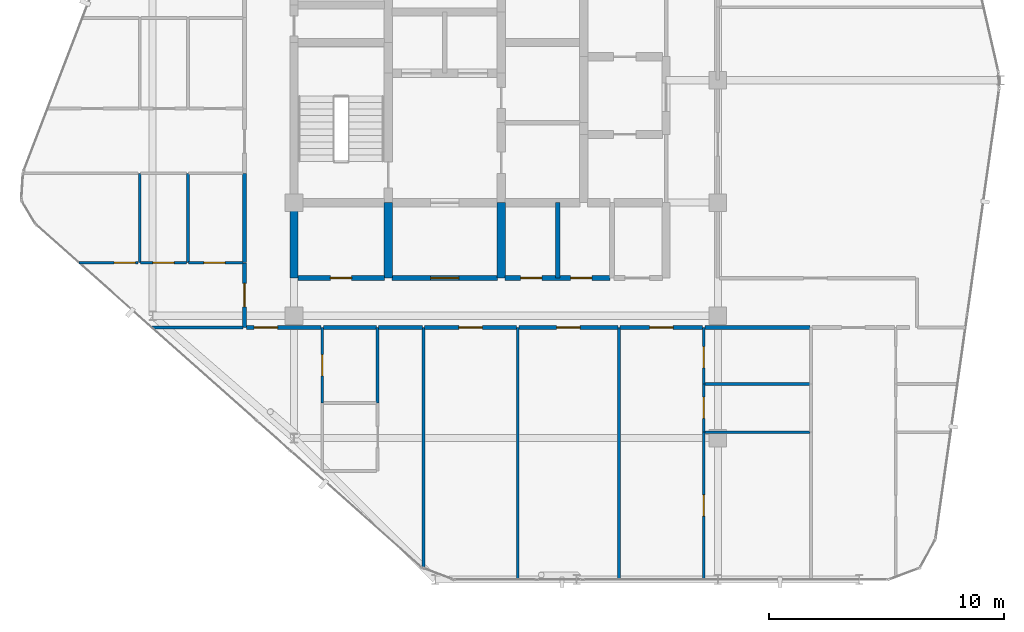
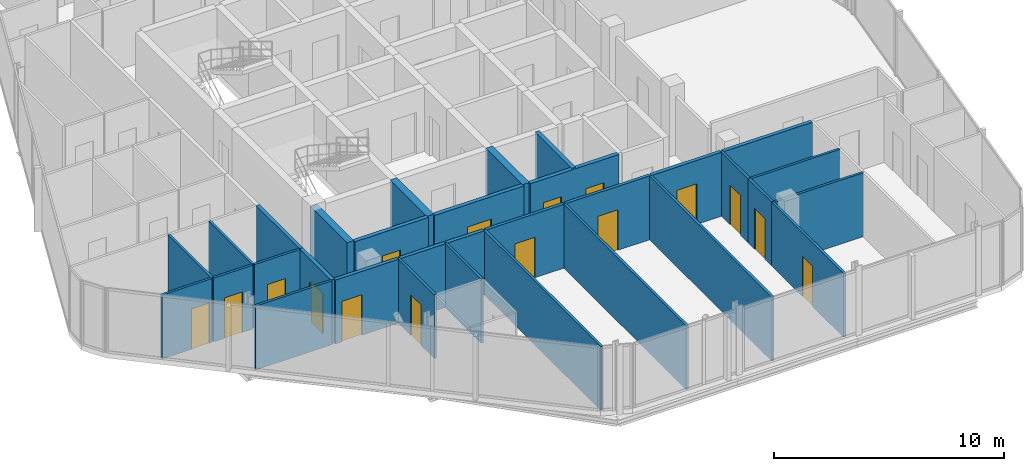
# One storey, part 22 of 27: 32 walls, 16 doors, 16 openings.
"""IFC4 building model written with IfcOpenShell, lengths in metres."""

from ifc_helpers import new_model, si_unit, direction, frame, frame_2d, origin, place, context, subcontext, project, spatial, rectangle, extrude, material, layer, layer_set, type_object, element, fill, save


model = new_model("IFC4")

# Units and contexts
model_context = context("Model", 3, precision=1e-05, world=origin(), true_north=direction((0.0, 1.0)))
body_context = subcontext(model_context, "Body", "Model", "MODEL_VIEW")
ifc_project = project(units=[si_unit("LENGTHUNIT", "METRE"), si_unit("AREAUNIT", "SQUARE_METRE"), si_unit("VOLUMEUNIT", "CUBIC_METRE"), si_unit("PLANEANGLEUNIT", "RADIAN"), si_unit("MASSUNIT", "GRAM", prefix="KILO")], contexts=[model_context])

# Site, building, storey
site_placement = place(None, origin())
site = spatial("IfcSite", under=ifc_project, at=site_placement, CompositionType="ELEMENT")
building_placement = place(site_placement, origin())
building = spatial("IfcBuilding", under=site, at=building_placement, Name="Keshet Zoharim Tower", CompositionType="ELEMENT")
storey_placement = place(building_placement, frame((0.0, 0.0, 273.199951171875)))
storey = spatial("IfcBuildingStorey", under=building, at=storey_placement, Name="L68", CompositionType="ELEMENT", Elevation=273.199951171875)

# Wall, opening, door
ifc_material_1 = material(Name="Gypsum Plasterboard", Category="gypsum")
ifc_layer_1 = layer(ifc_material_1, 0.14990234375)
ifc_layer_set_1 = layer_set([ifc_layer_1], Name="Gypsum Plasterboard")
wall_type_1 = type_object("IfcWallType", Name="WL-CLIN-150", PredefinedType="STANDARD", material=ifc_layer_set_1)
wall_1_placement = place(storey_placement, frame((20.544921875, 17.39990234375, 0.0), z_axis=(0.0, 0.0, 1.0), x_axis=(1.0, 0.0, 0.0)))
wall_1 = element("IfcWall", 1, at=wall_1_placement, inside=storey, type_object=wall_type_1, Name="L68 Interior Wall 096", PredefinedType="STANDARD", context=body_context, shape_type="SweptSolid", body=[
    extrude(rectangle(XDim=3.91015625, YDim=0.14990234375, at=frame_2d((1.955078125, 0.0))), origin(), (0.0, 0.0, 1.0), 3.39013671875),
])
opening_1_placement = place(wall_1_placement, frame((1.455078125, 0.0, 0.0)))
opening_1 = element("IfcOpeningElement", 2, at=opening_1_placement, cuts=wall_1, Name="Opening D-F310", PredefinedType="OPENING", context=body_context, shape_type="SweptSolid", body=[
    extrude(rectangle(XDim=1.0, YDim=2.14990234375, at=frame_2d((0.5, 1.074951171875))), frame((0.0, 0.0849609375, 0.0), z_axis=(0.0, -1.0, 0.0), x_axis=(1.0, 0.0, 0.0)), (0.0, 0.0, 1.0), 0.169921875),
])
ifc_material_2 = material(Name="Hardwood Timber", Category="wood")
door_type_1 = type_object("IfcDoorType", Name="DR-FD30-100", OperationType="NOTDEFINED", PredefinedType="DOOR", material=ifc_material_2)
door_1_placement = place(opening_1_placement, origin())
door_1 = element("IfcDoor", 3, at=door_1_placement, inside=storey, type_object=door_type_1, Name="L68 Residents Telework Office Door", OperationType="SINGLE_SWING_RIGHT", OverallHeight=2.14990234375, OverallWidth=1.0, PredefinedType="DOOR", context=body_context, shape_type="SweptSolid", body=[
    extrude(rectangle(XDim=1.0, YDim=2.14990234375, at=frame_2d((0.5, 1.074951171875))), frame((0.0, 0.02490234375, 0.0), z_axis=(0.0, -1.0, 0.0), x_axis=(1.0, 0.0, 0.0)), (0.0, 0.0, 1.0), 0.050048828125),
])
fill(opening_1, door_1)

wall_2_placement = place(storey_placement, frame((24.544921875, 17.39990234375, 0.0), z_axis=(0.0, 0.0, 1.0), x_axis=(1.0, 0.0, 0.0)))
wall_2 = element("IfcWall", 4, at=wall_2_placement, inside=storey, type_object=wall_type_1, Name="L68 Interior Wall 097", PredefinedType="STANDARD", context=body_context, shape_type="SweptSolid", body=[
    extrude(rectangle(XDim=4.2099609375, YDim=0.14990234375, at=frame_2d((2.10498046875, 0.0))), origin(), (0.0, 0.0, 1.0), 3.39013671875),
])
opening_2_placement = place(wall_2_placement, frame((1.60498046875, 0.0, 0.0)))
opening_2 = element("IfcOpeningElement", 5, at=opening_2_placement, cuts=wall_2, Name="Opening D-F310", PredefinedType="OPENING", context=body_context, shape_type="SweptSolid", body=[
    extrude(rectangle(XDim=1.0, YDim=2.14990234375, at=frame_2d((0.5, 1.074951171875))), frame((0.0, 0.0849609375, 0.0), z_axis=(0.0, -1.0, 0.0), x_axis=(1.0, 0.0, 0.0)), (0.0, 0.0, 1.0), 0.169921875),
])
door_2_placement = place(opening_2_placement, origin())
door_2 = element("IfcDoor", 6, at=door_2_placement, inside=storey, type_object=door_type_1, Name="L68 Residents Meeting Room Door", OperationType="SINGLE_SWING_LEFT", OverallHeight=2.14990234375, OverallWidth=1.0, PredefinedType="DOOR", context=body_context, shape_type="SweptSolid", body=[
    extrude(rectangle(XDim=1.0, YDim=2.14990234375, at=frame_2d((0.5, 1.074951171875))), frame((0.0, 0.02490234375, 0.0), z_axis=(0.0, -1.0, 0.0), x_axis=(1.0, 0.0, 0.0)), (0.0, 0.0, 1.0), 0.050048828125),
])
fill(opening_2, door_2)

# Walls
ifc_material_3 = material(Name="Concrete C60/75", Category="concrete")
ifc_layer_2 = layer(ifc_material_3, 0.35009765625)
ifc_layer_set_2 = layer_set([ifc_layer_2], Name="Concrete C60/75")
wall_type_2 = type_object("IfcWallType", Name="WL-CORE-350", PredefinedType="SHEAR", material=ifc_layer_set_2)
for number, where, z_axis, x_axis, name in (
    (7, (15.0, 19.5, 0.0), (0.0, 0.0, 1.0), (0.0, 1.0, 0.0), "L68 Core Shear Wall 016"),
    (8, (19.0, 19.5, 0.0), (0.0, 0.0, 1.0), (0.0, 1.0, 0.0), "L68 Core Shear Wall 026"),
    (9, (23.800048828125, 19.5, 0.0), (0.0, 0.0, 1.0), (0.0, 1.0, 0.0), "L68 Core Shear Wall 039"),
):
    element("IfcWall", number, at=place(storey_placement, frame(where, z_axis=z_axis, x_axis=x_axis)), inside=storey, type_object=wall_type_2, Name=name, PredefinedType="SHEAR", context=body_context, shape_type="SweptSolid", body=[
        extrude(rectangle(XDim=3.199951171875, YDim=0.35009765625, at=frame_2d((1.60009765625, 0.0))), origin(), (0.0, 0.0, 1.0), 3.39013671875),
    ])

# Wall, opening, door
ifc_layer_3 = layer(ifc_material_1, 0.179931640625)
ifc_layer_set_3 = layer_set([ifc_layer_3], Name="Gypsum Plasterboard")
wall_type_3 = type_object("IfcWallType", Name="WL-CORR-180", PredefinedType="STANDARD", material=ifc_layer_set_3)
wall_3_placement = place(storey_placement, frame((12.89990234375, 17.39990234375, 0.0), z_axis=(0.0, 0.0, 1.0), x_axis=(0.0, 1.0, 0.0)))
wall_3 = element("IfcWall", 10, at=wall_3_placement, inside=storey, type_object=wall_type_3, Name="L68 Interior Wall 007", PredefinedType="STANDARD", context=body_context, shape_type="SweptSolid", body=[
    extrude(rectangle(XDim=2.75, YDim=0.179931640625, at=frame_2d((1.375, 0.0))), origin(), (0.0, 0.0, 1.0), 3.39013671875),
])
opening_3_placement = place(wall_3_placement, frame((0.875, 0.0, 0.0)))
opening_3 = element("IfcOpeningElement", 11, at=opening_3_placement, cuts=wall_3, Name="Opening D-F310", PredefinedType="OPENING", context=body_context, shape_type="SweptSolid", body=[
    extrude(rectangle(XDim=1.0, YDim=2.14990234375, at=frame_2d((0.5, 1.074951171875))), frame((0.0, 0.10009765625, 0.0), z_axis=(0.0, -1.0, 0.0), x_axis=(1.0, 0.0, 0.0)), (0.0, 0.0, 1.0), 0.199951171875),
])
door_3_placement = place(opening_3_placement, origin())
door_3 = element("IfcDoor", 12, at=door_3_placement, inside=storey, type_object=door_type_1, Name="Apartment 6806 Entrance Door", OperationType="SINGLE_SWING_RIGHT", OverallHeight=2.14990234375, OverallWidth=1.0, PredefinedType="DOOR", context=body_context, shape_type="SweptSolid", body=[
    extrude(rectangle(XDim=1.0, YDim=2.14990234375, at=frame_2d((0.5, 1.074951171875))), frame((0.0, 0.02490234375, 0.0), z_axis=(0.0, -1.0, 0.0), x_axis=(1.0, 0.0, 0.0)), (0.0, 0.0, 1.0), 0.050048828125),
])
fill(opening_3, door_3)

# Wall
wall_4_placement = place(storey_placement, frame((12.89990234375, 20.14990234375, 0.0), z_axis=(0.0, 0.0, 1.0), x_axis=(0.0, 1.0, 0.0)))
element("IfcWall", 13, at=wall_4_placement, inside=storey, type_object=wall_type_3, Name="L68 Interior Wall 008", PredefinedType="STANDARD", context=body_context, shape_type="SweptSolid", body=[
    extrude(rectangle(XDim=3.780029296875, YDim=0.179931640625, at=frame_2d((1.89013671875, 0.0))), origin(), (0.0, 0.0, 1.0), 3.39013671875),
])

# Wall, opening, door
wall_5_placement = place(storey_placement, frame((12.97509765625, 17.39990234375, 0.0), z_axis=(0.0, 0.0, 1.0), x_axis=(1.0, 0.0, 0.0)))
wall_5 = element("IfcWall", 14, at=wall_5_placement, inside=storey, type_object=wall_type_3, Name="L68 Interior Wall 093", PredefinedType="STANDARD", context=body_context, shape_type="SweptSolid", body=[
    extrude(rectangle(XDim=3.179931640625, YDim=0.179931640625, at=frame_2d((1.58984375, 0.0))), origin(), (0.0, 0.0, 1.0), 3.39013671875),
])
opening_4_placement = place(wall_5_placement, frame((0.33203125, 0.0, 0.0)))
opening_4 = element("IfcOpeningElement", 15, at=opening_4_placement, cuts=wall_5, Name="Opening D-F310", PredefinedType="OPENING", context=body_context, shape_type="SweptSolid", body=[
    extrude(rectangle(XDim=1.0, YDim=2.14990234375, at=frame_2d((0.5, 1.074951171875))), frame((0.0, 0.10009765625, 0.0), z_axis=(0.0, -1.0, 0.0), x_axis=(1.0, 0.0, 0.0)), (0.0, 0.0, 1.0), 0.199951171875),
])
door_4_placement = place(opening_4_placement, origin())
door_4 = element("IfcDoor", 16, at=door_4_placement, inside=storey, type_object=door_type_1, Name="Apartment 6801 Entrance Door", OperationType="SINGLE_SWING_LEFT", OverallHeight=2.14990234375, OverallWidth=1.0, PredefinedType="DOOR", context=body_context, shape_type="SweptSolid", body=[
    extrude(rectangle(XDim=1.0, YDim=2.14990234375, at=frame_2d((0.5, 1.074951171875))), frame((0.0, 0.02490234375, 0.0), z_axis=(0.0, -1.0, 0.0), x_axis=(1.0, 0.0, 0.0)), (0.0, 0.0, 1.0), 0.050048828125),
])
fill(opening_4, door_4)

# Walls
wall_6_placement = place(storey_placement, frame((16.2451171875, 17.39990234375, 0.0), z_axis=(0.0, 0.0, 1.0), x_axis=(1.0, 0.0, 0.0)))
element("IfcWall", 17, at=wall_6_placement, inside=storey, type_object=wall_type_3, Name="L68 Interior Wall 094", PredefinedType="STANDARD", context=body_context, shape_type="SweptSolid", body=[
    extrude(rectangle(XDim=2.259765625, YDim=0.179931640625, at=frame_2d((1.1298828125, 0.0))), origin(), (0.0, 0.0, 1.0), 3.39013671875),
])
wall_7_placement = place(storey_placement, frame((18.594970703125, 17.39990234375, 0.0), z_axis=(0.0, 0.0, 1.0), x_axis=(1.0, 0.0, 0.0)))
element("IfcWall", 18, at=wall_7_placement, inside=storey, type_object=wall_type_3, Name="L68 Interior Wall 095", PredefinedType="STANDARD", context=body_context, shape_type="SweptSolid", body=[
    extrude(rectangle(XDim=1.860107421875, YDim=0.179931640625, at=frame_2d((0.93017578125, 0.0))), origin(), (0.0, 0.0, 1.0), 3.39013671875),
])

# Wall, opening, door
wall_8_placement = place(storey_placement, frame((28.844970703125, 17.39990234375, 0.0), z_axis=(0.0, 0.0, 1.0), x_axis=(1.0, 0.0, 0.0)))
wall_8 = element("IfcWall", 19, at=wall_8_placement, inside=storey, type_object=wall_type_3, Name="L68 Interior Wall 098", PredefinedType="STANDARD", context=body_context, shape_type="SweptSolid", body=[
    extrude(rectangle(XDim=3.510009765625, YDim=0.179931640625, at=frame_2d((1.7548828125, 0.0))), origin(), (0.0, 0.0, 1.0), 3.39013671875),
])
opening_5_placement = place(wall_8_placement, frame((1.2548828125, 0.0, 0.0)))
opening_5 = element("IfcOpeningElement", 20, at=opening_5_placement, cuts=wall_8, Name="Opening D-F310", PredefinedType="OPENING", context=body_context, shape_type="SweptSolid", body=[
    extrude(rectangle(XDim=1.0, YDim=2.14990234375, at=frame_2d((0.5, 1.074951171875))), frame((0.0, 0.10009765625, 0.0), z_axis=(0.0, -1.0, 0.0), x_axis=(1.0, 0.0, 0.0)), (0.0, 0.0, 1.0), 0.199951171875),
])
door_5_placement = place(opening_5_placement, origin())
door_5 = element("IfcDoor", 21, at=door_5_placement, inside=storey, type_object=door_type_1, Name="Apartment 6802 Entrance Door", OperationType="SINGLE_SWING_RIGHT", OverallHeight=2.14990234375, OverallWidth=1.0, PredefinedType="DOOR", context=body_context, shape_type="SweptSolid", body=[
    extrude(rectangle(XDim=1.0, YDim=2.14990234375, at=frame_2d((0.5, 1.074951171875))), frame((0.0, 0.02490234375, 0.0), z_axis=(0.0, -1.0, 0.0), x_axis=(1.0, 0.0, 0.0)), (0.0, 0.0, 1.0), 0.050048828125),
])
fill(opening_5, door_5)

# Walls
wall_9_placement = place(storey_placement, frame((32.445068359375, 17.39990234375, 0.0), z_axis=(0.0, 0.0, 1.0), x_axis=(1.0, 0.0, 0.0)))
element("IfcWall", 22, at=wall_9_placement, inside=storey, type_object=wall_type_3, Name="L68 Interior Wall 099", PredefinedType="STANDARD", context=body_context, shape_type="SweptSolid", body=[
    extrude(rectangle(XDim=4.4599609375, YDim=0.179931640625, at=frame_2d((2.22998046875, 0.0))), origin(), (0.0, 0.0, 1.0), 3.39013671875),
])
ifc_material_4 = material(Name="Concrete C50/60", Category="concrete")
ifc_layer_4 = layer(ifc_material_4, 0.199951171875)
ifc_layer_set_4 = layer_set([ifc_layer_4], Name="Concrete C50/60")
wall_type_4 = type_object("IfcWallType", Name="WL-FIRE-200", PredefinedType="STANDARD", material=ifc_layer_set_4)
wall_10_placement = place(storey_placement, frame((26.199951171875, 19.5, 0.0), z_axis=(0.0, 0.0, 1.0), x_axis=(0.0, 1.0, 0.0)))
element("IfcWall", 23, at=wall_10_placement, inside=storey, type_object=wall_type_4, Name="L68 Interior Wall 047", PredefinedType="STANDARD", context=body_context, shape_type="SweptSolid", body=[
    extrude(rectangle(XDim=3.199951171875, YDim=0.199951171875, at=frame_2d((1.60009765625, 0.0))), origin(), (0.0, 0.0, 1.0), 3.39013671875),
])

# Wall, opening, door
wall_11_placement = place(storey_placement, frame((15.159912109375, 19.5, 0.0), z_axis=(0.0, 0.0, 1.0), x_axis=(1.0, 0.0, 0.0)))
wall_11 = element("IfcWall", 24, at=wall_11_placement, inside=storey, type_object=wall_type_4, Name="L68 Interior Wall 103", PredefinedType="STANDARD", context=body_context, shape_type="SweptSolid", body=[
    extrude(rectangle(XDim=3.68017578125, YDim=0.199951171875, at=frame_2d((1.840087890625, 0.0))), origin(), (0.0, 0.0, 1.0), 3.39013671875),
])
opening_6_placement = place(wall_11_placement, frame((1.389892578125, 0.0, 0.0)))
opening_6 = element("IfcOpeningElement", 25, at=opening_6_placement, cuts=wall_11, Name="Opening D-F690", PredefinedType="OPENING", context=body_context, shape_type="SweptSolid", body=[
    extrude(rectangle(XDim=0.89990234375, YDim=2.14990234375, at=frame_2d((0.449951171875, 1.074951171875))), frame((0.0, 0.10986328125, 0.0), z_axis=(0.0, -1.0, 0.0), x_axis=(1.0, 0.0, 0.0)), (0.0, 0.0, 1.0), 0.219970703125),
])
door_type_2 = type_object("IfcDoorType", Name="DR-FD60-090", OperationType="NOTDEFINED", PredefinedType="DOOR", material=ifc_material_2)
door_6_placement = place(opening_6_placement, origin())
door_6 = element("IfcDoor", 26, at=door_6_placement, inside=storey, type_object=door_type_2, Name="L68 Pram Store Door", OperationType="SINGLE_SWING_RIGHT", OverallHeight=2.14990234375, OverallWidth=0.89990234375, PredefinedType="DOOR", context=body_context, shape_type="SweptSolid", body=[
    extrude(rectangle(XDim=0.89990234375, YDim=2.14990234375, at=frame_2d((0.449951171875, 1.074951171875))), frame((0.0, 0.02490234375, 0.0), z_axis=(0.0, -1.0, 0.0), x_axis=(1.0, 0.0, 0.0)), (0.0, 0.0, 1.0), 0.050048828125),
])
fill(opening_6, door_6)

wall_12_placement = place(storey_placement, frame((19.159912109375, 19.5, 0.0), z_axis=(0.0, 0.0, 1.0), x_axis=(1.0, 0.0, 0.0)))
wall_12 = element("IfcWall", 27, at=wall_12_placement, inside=storey, type_object=wall_type_4, Name="L68 Interior Wall 104", PredefinedType="STANDARD", context=body_context, shape_type="SweptSolid", body=[
    extrude(rectangle(XDim=4.47998046875, YDim=0.199951171875, at=frame_2d((2.239990234375, 0.0))), origin(), (0.0, 0.0, 1.0), 3.39013671875),
])
opening_7_placement = place(wall_12_placement, frame((1.639892578125, 0.0, 0.0)))
opening_7 = element("IfcOpeningElement", 28, at=opening_7_placement, cuts=wall_12, Name="Opening D-F612", PredefinedType="OPENING", context=body_context, shape_type="SweptSolid", body=[
    extrude(rectangle(XDim=1.199951171875, YDim=2.199951171875, at=frame_2d((0.60009765625, 1.10009765625))), frame((0.0, 0.10986328125, 0.0), z_axis=(0.0, -1.0, 0.0), x_axis=(1.0, 0.0, 0.0)), (0.0, 0.0, 1.0), 0.219970703125),
])
door_type_3 = type_object("IfcDoorType", Name="DR-FD60-120", OperationType="NOTDEFINED", PredefinedType="DOOR", material=ifc_material_2)
door_7_placement = place(opening_7_placement, origin())
door_7 = element("IfcDoor", 29, at=door_7_placement, inside=storey, type_object=door_type_3, Name="L68 South Vestibule Corridor Door", OperationType="SINGLE_SWING_LEFT", OverallHeight=2.199951171875, OverallWidth=1.199951171875, PredefinedType="DOOR", context=body_context, shape_type="SweptSolid", body=[
    extrude(rectangle(XDim=1.199951171875, YDim=2.199951171875, at=frame_2d((0.60009765625, 1.10009765625))), frame((0.0, 0.02490234375, 0.0), z_axis=(0.0, -1.0, 0.0), x_axis=(1.0, 0.0, 0.0)), (0.0, 0.0, 1.0), 0.050048828125),
])
fill(opening_7, door_7)

# Wall, openings, doors
wall_13_placement = place(storey_placement, frame((23.9599609375, 19.5, 0.0), z_axis=(0.0, 0.0, 1.0), x_axis=(1.0, 0.0, 0.0)))
wall_13 = element("IfcWall", 30, at=wall_13_placement, inside=storey, type_object=wall_type_4, Name="L68 Interior Wall 105", PredefinedType="STANDARD", context=body_context, shape_type="SweptSolid", body=[
    extrude(rectangle(XDim=4.455078125, YDim=0.199951171875, at=frame_2d((2.2275390625, 0.0))), origin(), (0.0, 0.0, 1.0), 3.39013671875),
])
opening_8_placement = place(wall_13_placement, frame((0.6650390625, 0.0, 0.0)))
opening_8 = element("IfcOpeningElement", 31, at=opening_8_placement, cuts=wall_13, Name="Opening D-F690", PredefinedType="OPENING", context=body_context, shape_type="SweptSolid", body=[
    extrude(rectangle(XDim=0.89990234375, YDim=2.14990234375, at=frame_2d((0.449951171875, 1.074951171875))), frame((0.0, 0.10986328125, 0.0), z_axis=(0.0, -1.0, 0.0), x_axis=(1.0, 0.0, 0.0)), (0.0, 0.0, 1.0), 0.219970703125),
])
opening_9_placement = place(wall_13_placement, frame((2.791015625, 0.0, 0.0)))
opening_9 = element("IfcOpeningElement", 32, at=opening_9_placement, cuts=wall_13, Name="Opening D-F690", PredefinedType="OPENING", context=body_context, shape_type="SweptSolid", body=[
    extrude(rectangle(XDim=0.89990234375, YDim=2.14990234375, at=frame_2d((0.449951171875, 1.074951171875))), frame((0.0, 0.10986328125, 0.0), z_axis=(0.0, -1.0, 0.0), x_axis=(1.0, 0.0, 0.0)), (0.0, 0.0, 1.0), 0.219970703125),
])
door_8_placement = place(opening_8_placement, origin())
door_8 = element("IfcDoor", 33, at=door_8_placement, inside=storey, type_object=door_type_2, Name="L68 Switchgear Room Door", OperationType="SINGLE_SWING_RIGHT", OverallHeight=2.14990234375, OverallWidth=0.89990234375, PredefinedType="DOOR", context=body_context, shape_type="SweptSolid", body=[
    extrude(rectangle(XDim=0.89990234375, YDim=2.14990234375, at=frame_2d((0.449951171875, 1.074951171875))), frame((0.0, 0.02490234375, 0.0), z_axis=(0.0, -1.0, 0.0), x_axis=(1.0, 0.0, 0.0)), (0.0, 0.0, 1.0), 0.050048828125),
])
fill(opening_8, door_8)
door_9_placement = place(opening_9_placement, origin())
door_9 = element("IfcDoor", 34, at=door_9_placement, inside=storey, type_object=door_type_2, Name="L68 Telecom Room Door", OperationType="SINGLE_SWING_LEFT", OverallHeight=2.14990234375, OverallWidth=0.89990234375, PredefinedType="DOOR", context=body_context, shape_type="SweptSolid", body=[
    extrude(rectangle(XDim=0.89990234375, YDim=2.14990234375, at=frame_2d((0.449951171875, 1.074951171875))), frame((0.0, 0.02490234375, 0.0), z_axis=(0.0, -1.0, 0.0), x_axis=(1.0, 0.0, 0.0)), (0.0, 0.0, 1.0), 0.050048828125),
])
fill(opening_9, door_9)

# Wall
ifc_layer_5 = layer(ifc_material_1, 0.1201171875)
ifc_layer_set_5 = layer_set([ifc_layer_5], Name="Gypsum Plasterboard")
wall_type_5 = type_object("IfcWallType", Name="WL-PART-120", PredefinedType="PARTITIONING", material=ifc_layer_set_5)
wall_14_placement = place(storey_placement, frame((8.449951171875, 20.14990234375, 0.0), z_axis=(0.0, 0.0, 1.0), x_axis=(0.0, 1.0, 0.0)))
element("IfcWall", 35, at=wall_14_placement, inside=storey, type_object=wall_type_5, Name="L68 Interior Wall 001", PredefinedType="PARTITIONING", context=body_context, shape_type="SweptSolid", body=[
    extrude(rectangle(XDim=3.780029296875, YDim=0.1201171875, at=frame_2d((1.89013671875, 0.0))), origin(), (0.0, 0.0, 1.0), 3.39013671875),
])

# Wall, opening, door
wall_15_placement = place(storey_placement, frame((16.199951171875, 14.199951171875, 0.0), z_axis=(0.0, 0.0, 1.0), x_axis=(0.0, 1.0, 0.0)))
wall_15 = element("IfcWall", 36, at=wall_15_placement, inside=storey, type_object=wall_type_5, Name="L68 Interior Wall 021", PredefinedType="PARTITIONING", context=body_context, shape_type="SweptSolid", body=[
    extrude(rectangle(XDim=3.199951171875, YDim=0.1201171875, at=frame_2d((1.60009765625, 0.0))), origin(), (0.0, 0.0, 1.0), 3.39013671875),
])
opening_10_placement = place(wall_15_placement, frame((1.14990234375, 0.0, 0.0)))
opening_10 = element("IfcOpeningElement", 37, at=opening_10_placement, cuts=wall_15, Name="Opening D-IN90", PredefinedType="OPENING", context=body_context, shape_type="SweptSolid", body=[
    extrude(rectangle(XDim=0.89990234375, YDim=2.14990234375, at=frame_2d((0.449951171875, 1.074951171875))), frame((0.0, 0.070068359375, 0.0), z_axis=(0.0, -1.0, 0.0), x_axis=(1.0, 0.0, 0.0)), (0.0, 0.0, 1.0), 0.14013671875),
])
door_type_4 = type_object("IfcDoorType", Name="DR-INT-090", OperationType="NOTDEFINED", PredefinedType="DOOR", material=ifc_material_2)
door_10_placement = place(opening_10_placement, origin())
door_10 = element("IfcDoor", 38, at=door_10_placement, inside=storey, type_object=door_type_4, Name="Apartment 6801 Kitchenette Door", OperationType="SINGLE_SWING_RIGHT", OverallHeight=2.14990234375, OverallWidth=0.89990234375, PredefinedType="DOOR", context=body_context, shape_type="SweptSolid", body=[
    extrude(rectangle(XDim=0.89990234375, YDim=2.14990234375, at=frame_2d((0.449951171875, 1.074951171875))), frame((0.0, 0.02490234375, 0.0), z_axis=(0.0, -1.0, 0.0), x_axis=(1.0, 0.0, 0.0)), (0.0, 0.0, 1.0), 0.050048828125),
])
fill(opening_10, door_10)

# Walls
wall_16_placement = place(storey_placement, frame((18.550048828125, 14.199951171875, 0.0), z_axis=(0.0, 0.0, 1.0), x_axis=(0.0, 1.0, 0.0)))
element("IfcWall", 39, at=wall_16_placement, inside=storey, type_object=wall_type_5, Name="L68 Interior Wall 025", PredefinedType="PARTITIONING", context=body_context, shape_type="SweptSolid", body=[
    extrude(rectangle(XDim=3.199951171875, YDim=0.1201171875, at=frame_2d((1.60009765625, 0.0))), origin(), (0.0, 0.0, 1.0), 3.39013671875),
])
wall_17_placement = place(storey_placement, frame((20.5, 7.18896484375, 0.0), z_axis=(0.0, 0.0, 1.0), x_axis=(0.0, 1.0, 0.0)))
element("IfcWall", 40, at=wall_17_placement, inside=storey, type_object=wall_type_5, Name="L68 Interior Wall 033", PredefinedType="PARTITIONING", context=body_context, shape_type="SweptSolid", body=[
    extrude(rectangle(XDim=10.2109375, YDim=0.1201171875, at=frame_2d((5.10546875, 0.0))), origin(), (0.0, 0.0, 1.0), 3.39013671875),
])
for number, where, z_axis, x_axis, name in (
    (41, (24.5, 6.7099609375, 0.0), (0.0, 0.0, 1.0), (0.0, 1.0, 0.0), "L68 Interior Wall 046"),
    (42, (28.800048828125, 6.7099609375, 0.0), (0.0, 0.0, 1.0), (0.0, 1.0, 0.0), "L68 Interior Wall 057"),
):
    element("IfcWall", number, at=place(storey_placement, frame(where, z_axis=z_axis, x_axis=x_axis)), inside=storey, type_object=wall_type_5, Name=name, PredefinedType="PARTITIONING", context=body_context, shape_type="SweptSolid", body=[
        extrude(rectangle(XDim=10.68994140625, YDim=0.1201171875, at=frame_2d((5.344970703125, 0.0))), origin(), (0.0, 0.0, 1.0), 3.39013671875),
    ])

# Wall, opening, door
wall_18_placement = place(storey_placement, frame((32.39990234375, 6.7099609375, 0.0), z_axis=(0.0, 0.0, 1.0), x_axis=(0.0, 1.0, 0.0)))
wall_18 = element("IfcWall", 43, at=wall_18_placement, inside=storey, type_object=wall_type_5, Name="L68 Interior Wall 065", PredefinedType="PARTITIONING", context=body_context, shape_type="SweptSolid", body=[
    extrude(rectangle(XDim=6.260009765625, YDim=0.1201171875, at=frame_2d((3.1298828125, 0.0))), origin(), (0.0, 0.0, 1.0), 3.39013671875),
])
opening_11_placement = place(wall_18_placement, frame((2.679931640625, 0.0, 0.0)))
opening_11 = element("IfcOpeningElement", 44, at=opening_11_placement, cuts=wall_18, Name="Opening D-IN90", PredefinedType="OPENING", context=body_context, shape_type="SweptSolid", body=[
    extrude(rectangle(XDim=0.89990234375, YDim=2.14990234375, at=frame_2d((0.449951171875, 1.074951171875))), frame((0.0, 0.070068359375, 0.0), z_axis=(0.0, -1.0, 0.0), x_axis=(1.0, 0.0, 0.0)), (0.0, 0.0, 1.0), 0.14013671875),
])
door_11_placement = place(opening_11_placement, origin())
door_11 = element("IfcDoor", 45, at=door_11_placement, inside=storey, type_object=door_type_4, Name="Apartment 6802 Bedroom 1 Door", OperationType="SINGLE_SWING_LEFT", OverallHeight=2.14990234375, OverallWidth=0.89990234375, PredefinedType="DOOR", context=body_context, shape_type="SweptSolid", body=[
    extrude(rectangle(XDim=0.89990234375, YDim=2.14990234375, at=frame_2d((0.449951171875, 1.074951171875))), frame((0.0, 0.02490234375, 0.0), z_axis=(0.0, -1.0, 0.0), x_axis=(1.0, 0.0, 0.0)), (0.0, 0.0, 1.0), 0.050048828125),
])
fill(opening_11, door_11)

wall_19_placement = place(storey_placement, frame((32.39990234375, 12.969970703125, 0.0), z_axis=(0.0, 0.0, 1.0), x_axis=(0.0, 1.0, 0.0)))
wall_19 = element("IfcWall", 46, at=wall_19_placement, inside=storey, type_object=wall_type_5, Name="L68 Interior Wall 066", PredefinedType="PARTITIONING", context=body_context, shape_type="SweptSolid", body=[
    extrude(rectangle(XDim=2.0380859375, YDim=0.1201171875, at=frame_2d((1.01904296875, 0.0))), origin(), (0.0, 0.0, 1.0), 3.39013671875),
])
opening_12_placement = place(wall_19_placement, frame((0.569091796875, 0.0, 0.0)))
opening_12 = element("IfcOpeningElement", 47, at=opening_12_placement, cuts=wall_19, Name="Opening D-IN90", PredefinedType="OPENING", context=body_context, shape_type="SweptSolid", body=[
    extrude(rectangle(XDim=0.89990234375, YDim=2.14990234375, at=frame_2d((0.449951171875, 1.074951171875))), frame((0.0, 0.070068359375, 0.0), z_axis=(0.0, -1.0, 0.0), x_axis=(1.0, 0.0, 0.0)), (0.0, 0.0, 1.0), 0.14013671875),
])
door_12_placement = place(opening_12_placement, origin())
door_12 = element("IfcDoor", 48, at=door_12_placement, inside=storey, type_object=door_type_4, Name="Apartment 6802 Kitchen Door", OperationType="SINGLE_SWING_RIGHT", OverallHeight=2.14990234375, OverallWidth=0.89990234375, PredefinedType="DOOR", context=body_context, shape_type="SweptSolid", body=[
    extrude(rectangle(XDim=0.89990234375, YDim=2.14990234375, at=frame_2d((0.449951171875, 1.074951171875))), frame((0.0, 0.02490234375, 0.0), z_axis=(0.0, -1.0, 0.0), x_axis=(1.0, 0.0, 0.0)), (0.0, 0.0, 1.0), 0.050048828125),
])
fill(opening_12, door_12)

# Walls
wall_20_placement = place(storey_placement, frame((32.445068359375, 12.949951171875, 0.0), z_axis=(0.0, 0.0, 1.0), x_axis=(1.0, 0.0, 0.0)))
element("IfcWall", 49, at=wall_20_placement, inside=storey, type_object=wall_type_5, Name="L68 Interior Wall 087", PredefinedType="PARTITIONING", context=body_context, shape_type="SweptSolid", body=[
    extrude(rectangle(XDim=4.4599609375, YDim=0.1201171875, at=frame_2d((2.22998046875, 0.0))), origin(), (0.0, 0.0, 1.0), 3.39013671875),
])
wall_21_placement = place(storey_placement, frame((8.972900390625, 17.39990234375, 0.0), z_axis=(0.0, 0.0, 1.0), x_axis=(1.0, 0.0, 0.0)))
element("IfcWall", 50, at=wall_21_placement, inside=storey, type_object=wall_type_5, Name="L68 Interior Wall 092", PredefinedType="PARTITIONING", context=body_context, shape_type="SweptSolid", body=[
    extrude(rectangle(XDim=3.85205078125, YDim=0.1201171875, at=frame_2d((1.926025390625, 0.0))), origin(), (0.0, 0.0, 1.0), 3.39013671875),
])

# Wall, opening, door
wall_22_placement = place(storey_placement, frame((5.87890625, 20.14990234375, 0.0), z_axis=(0.0, 0.0, 1.0), x_axis=(1.0, 0.0, 0.0)))
wall_22 = element("IfcWall", 51, at=wall_22_placement, inside=storey, type_object=wall_type_5, Name="L68 Interior Wall 108", PredefinedType="PARTITIONING", context=body_context, shape_type="SweptSolid", body=[
    extrude(rectangle(XDim=2.504150390625, YDim=0.1201171875, at=frame_2d((1.251953125, 0.0))), origin(), (0.0, 0.0, 1.0), 3.39013671875),
])
opening_13_placement = place(wall_22_placement, frame((1.48388671875, 0.0, 0.0)))
opening_13 = element("IfcOpeningElement", 52, at=opening_13_placement, cuts=wall_22, Name="Opening D-IN90", PredefinedType="OPENING", context=body_context, shape_type="SweptSolid", body=[
    extrude(rectangle(XDim=0.89990234375, YDim=2.14990234375, at=frame_2d((0.449951171875, 1.074951171875))), frame((0.0, 0.070068359375, 0.0), z_axis=(0.0, -1.0, 0.0), x_axis=(1.0, 0.0, 0.0)), (0.0, 0.0, 1.0), 0.14013671875),
])
door_13_placement = place(opening_13_placement, origin())
door_13 = element("IfcDoor", 53, at=door_13_placement, inside=storey, type_object=door_type_4, Name="Apartment 6806 Bedroom 1 Door", OperationType="SINGLE_SWING_RIGHT", OverallHeight=2.14990234375, OverallWidth=0.89990234375, PredefinedType="DOOR", context=body_context, shape_type="SweptSolid", body=[
    extrude(rectangle(XDim=0.89990234375, YDim=2.14990234375, at=frame_2d((0.449951171875, 1.074951171875))), frame((0.0, 0.02490234375, 0.0), z_axis=(0.0, -1.0, 0.0), x_axis=(1.0, 0.0, 0.0)), (0.0, 0.0, 1.0), 0.050048828125),
])
fill(opening_13, door_13)

wall_23_placement = place(storey_placement, frame((8.472900390625, 20.14990234375, 0.0), z_axis=(0.0, 0.0, 1.0), x_axis=(1.0, 0.0, 0.0)))
wall_23 = element("IfcWall", 54, at=wall_23_placement, inside=storey, type_object=wall_type_5, Name="L68 Interior Wall 109", PredefinedType="PARTITIONING", context=body_context, shape_type="SweptSolid", body=[
    extrude(rectangle(XDim=1.967041015625, YDim=0.1201171875, at=frame_2d((0.9833984375, 0.0))), origin(), (0.0, 0.0, 1.0), 3.39013671875),
])
opening_14_placement = place(wall_23_placement, frame((0.533935546875, 0.0, 0.0)))
opening_14 = element("IfcOpeningElement", 55, at=opening_14_placement, cuts=wall_23, Name="Opening D-IN90", PredefinedType="OPENING", context=body_context, shape_type="SweptSolid", body=[
    extrude(rectangle(XDim=0.89990234375, YDim=2.14990234375, at=frame_2d((0.449951171875, 1.074951171875))), frame((0.0, 0.070068359375, 0.0), z_axis=(0.0, -1.0, 0.0), x_axis=(1.0, 0.0, 0.0)), (0.0, 0.0, 1.0), 0.14013671875),
])
door_14_placement = place(opening_14_placement, origin())
door_14 = element("IfcDoor", 56, at=door_14_placement, inside=storey, type_object=door_type_4, Name="Apartment 6806 Kitchen Door", OperationType="SINGLE_SWING_LEFT", OverallHeight=2.14990234375, OverallWidth=0.89990234375, PredefinedType="DOOR", context=body_context, shape_type="SweptSolid", body=[
    extrude(rectangle(XDim=0.89990234375, YDim=2.14990234375, at=frame_2d((0.449951171875, 1.074951171875))), frame((0.0, 0.02490234375, 0.0), z_axis=(0.0, -1.0, 0.0), x_axis=(1.0, 0.0, 0.0)), (0.0, 0.0, 1.0), 0.050048828125),
])
fill(opening_14, door_14)

# Wall
ifc_layer_6 = layer(ifc_material_1, 0.1201171875)
ifc_layer_set_6 = layer_set([ifc_layer_6], Name="Gypsum Plasterboard")
wall_type_6 = type_object("IfcWallType", Name="WL-WET-120", PredefinedType="PARTITIONING", material=ifc_layer_set_6)
wall_24_placement = place(storey_placement, frame((10.5, 20.14990234375, 0.0), z_axis=(0.0, 0.0, 1.0), x_axis=(0.0, 1.0, 0.0)))
element("IfcWall", 57, at=wall_24_placement, inside=storey, type_object=wall_type_6, Name="L68 Interior Wall 004", PredefinedType="PARTITIONING", context=body_context, shape_type="SweptSolid", body=[
    extrude(rectangle(XDim=3.780029296875, YDim=0.1201171875, at=frame_2d((1.89013671875, 0.0))), origin(), (0.0, 0.0, 1.0), 3.39013671875),
])

# Wall, opening, door
wall_25_placement = place(storey_placement, frame((32.39990234375, 15.008056640625, 0.0), z_axis=(0.0, 0.0, 1.0), x_axis=(0.0, 1.0, 0.0)))
wall_25 = element("IfcWall", 58, at=wall_25_placement, inside=storey, type_object=wall_type_6, Name="L68 Interior Wall 067", PredefinedType="PARTITIONING", context=body_context, shape_type="SweptSolid", body=[
    extrude(rectangle(XDim=2.391845703125, YDim=0.1201171875, at=frame_2d((1.19580078125, 0.0))), origin(), (0.0, 0.0, 1.0), 3.39013671875),
])
opening_15_placement = place(wall_25_placement, frame((0.675048828125, 0.0, 0.0)))
opening_15 = element("IfcOpeningElement", 59, at=opening_15_placement, cuts=wall_25, Name="Opening D-WT90", PredefinedType="OPENING", context=body_context, shape_type="SweptSolid", body=[
    extrude(rectangle(XDim=0.89990234375, YDim=2.10009765625, at=frame_2d((0.449951171875, 1.050048828125))), frame((0.0, 0.070068359375, 0.0), z_axis=(0.0, -1.0, 0.0), x_axis=(1.0, 0.0, 0.0)), (0.0, 0.0, 1.0), 0.14013671875),
])
door_type_5 = type_object("IfcDoorType", Name="DR-WET-090", OperationType="NOTDEFINED", PredefinedType="DOOR", material=ifc_material_2)
door_15_placement = place(opening_15_placement, origin())
door_15 = element("IfcDoor", 60, at=door_15_placement, inside=storey, type_object=door_type_5, Name="Apartment 6802 Bathroom Door", OperationType="SINGLE_SWING_LEFT", OverallHeight=2.10009765625, OverallWidth=0.89990234375, PredefinedType="DOOR", context=body_context, shape_type="SweptSolid", body=[
    extrude(rectangle(XDim=0.89990234375, YDim=2.10009765625, at=frame_2d((0.449951171875, 1.050048828125))), frame((0.0, 0.02490234375, 0.0), z_axis=(0.0, -1.0, 0.0), x_axis=(1.0, 0.0, 0.0)), (0.0, 0.0, 1.0), 0.050048828125),
])
fill(opening_15, door_15)

# Wall
wall_26_placement = place(storey_placement, frame((32.445068359375, 15.0, 0.0), z_axis=(0.0, 0.0, 1.0), x_axis=(1.0, 0.0, 0.0)))
element("IfcWall", 61, at=wall_26_placement, inside=storey, type_object=wall_type_6, Name="L68 Interior Wall 090", PredefinedType="PARTITIONING", context=body_context, shape_type="SweptSolid", body=[
    extrude(rectangle(XDim=4.4599609375, YDim=0.1201171875, at=frame_2d((2.22998046875, 0.0))), origin(), (0.0, 0.0, 1.0), 3.39013671875),
])

# Wall, opening, door
wall_27_placement = place(storey_placement, frame((10.530029296875, 20.14990234375, 0.0), z_axis=(0.0, 0.0, 1.0), x_axis=(1.0, 0.0, 0.0)))
wall_27 = element("IfcWall", 62, at=wall_27_placement, inside=storey, type_object=wall_type_6, Name="L68 Interior Wall 110", PredefinedType="PARTITIONING", context=body_context, shape_type="SweptSolid", body=[
    extrude(rectangle(XDim=2.294921875, YDim=0.1201171875, at=frame_2d((1.1474609375, 0.0))), origin(), (0.0, 0.0, 1.0), 3.39013671875),
])
opening_16_placement = place(wall_27_placement, frame((0.64111328125, 0.0, 0.0)))
opening_16 = element("IfcOpeningElement", 63, at=opening_16_placement, cuts=wall_27, Name="Opening D-WT90", PredefinedType="OPENING", context=body_context, shape_type="SweptSolid", body=[
    extrude(rectangle(XDim=0.89990234375, YDim=2.10009765625, at=frame_2d((0.449951171875, 1.050048828125))), frame((0.0, 0.070068359375, 0.0), z_axis=(0.0, -1.0, 0.0), x_axis=(1.0, 0.0, 0.0)), (0.0, 0.0, 1.0), 0.14013671875),
])
door_16_placement = place(opening_16_placement, origin())
door_16 = element("IfcDoor", 64, at=door_16_placement, inside=storey, type_object=door_type_5, Name="Apartment 6806 Bathroom Door", OperationType="SINGLE_SWING_RIGHT", OverallHeight=2.10009765625, OverallWidth=0.89990234375, PredefinedType="DOOR", context=body_context, shape_type="SweptSolid", body=[
    extrude(rectangle(XDim=0.89990234375, YDim=2.10009765625, at=frame_2d((0.449951171875, 1.050048828125))), frame((0.0, 0.02490234375, 0.0), z_axis=(0.0, -1.0, 0.0), x_axis=(1.0, 0.0, 0.0)), (0.0, 0.0, 1.0), 0.050048828125),
])
fill(opening_16, door_16)

save(model, "model.ifc")
